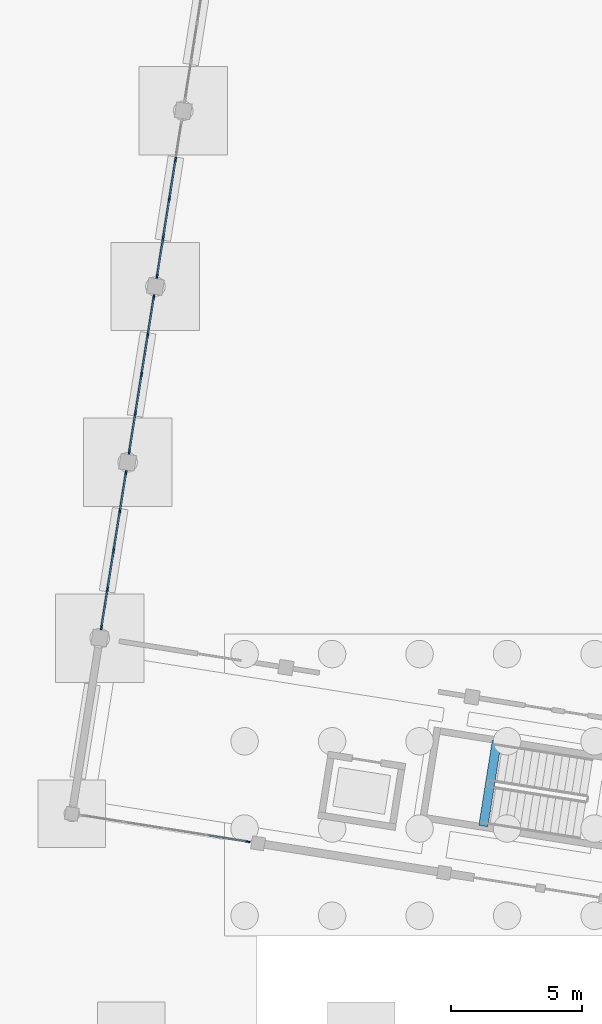
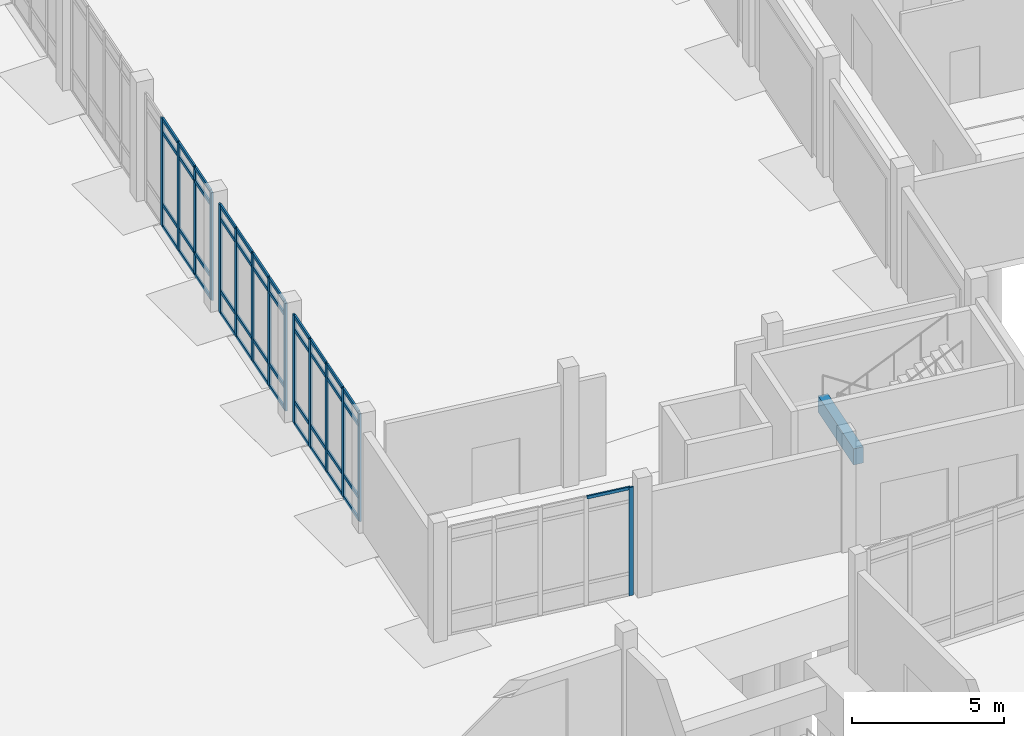
# One storey, part 15 of 72: 60 members, 1 beam, 4 elements without a shape of their own.
"""IFC4 building model written with IfcOpenShell, lengths in metres."""

from ifc_helpers import new_model, si_unit, direction, frame, origin, origin_2d, place, context, subcontext, project, spatial, rectangle, extrude, material, material_profile, profile_set, type_object, element, aggregate, save


model = new_model("IFC4")

# Units and contexts
model_context = context("Model", 3, precision=1e-05, world=origin(), true_north=direction((0.0, 1.0)))
body_context = subcontext(model_context, "Body", "Model", "MODEL_VIEW")
ifc_project = project(units=[si_unit("LENGTHUNIT", "METRE"), si_unit("AREAUNIT", "SQUARE_METRE"), si_unit("VOLUMEUNIT", "CUBIC_METRE"), si_unit("PLANEANGLEUNIT", "RADIAN"), si_unit("MASSUNIT", "GRAM", prefix="KILO")], contexts=[model_context])

# Site, building, storey
site_placement = place(None, origin())
site = spatial("IfcSite", under=ifc_project, at=site_placement, CompositionType="ELEMENT")
building_placement = place(site_placement, origin())
building = spatial("IfcBuilding", under=site, at=building_placement, Name="Cinderway Yard Community Centre", CompositionType="ELEMENT")
storey_placement = place(building_placement, origin())
storey = spatial("IfcBuildingStorey", under=building, at=storey_placement, Name="L00", CompositionType="ELEMENT", Elevation=0.0)

# Curtain wall, member
ifc_material_1 = material(Name="Aluminium 6063-T6", Category="aluminium")
curtain_wall_type_1 = type_object("IfcCurtainWallType", Name="ENV-CW-TYPE-13", PredefinedType="USERDEFINED", material=ifc_material_1)
curtain_wall_1_placement = place(storey_placement, origin())
curtain_wall_1 = element("IfcCurtainWall", 1, at=curtain_wall_1_placement, inside=storey, type_object=curtain_wall_type_1, Name="Sports South Lobby Curtain Wall ENV-CW-L00-ST-0050", ObjectType="GLAZED CURTAIN WALL", PredefinedType="USERDEFINED")
ifc_material_profile_1 = material_profile(ifc_material_1, rectangle(XDim=0.06005859375, YDim=0.159912109375, at=origin_2d()), Name="Aluminium 6063-T6")
ifc_profile_set_1 = profile_set([ifc_material_profile_1], Name="Aluminium 6063-T6")
member_type_1 = type_object("IfcMemberType", Name="ENV-CW-MULL-150", PredefinedType="MULLION", material=ifc_profile_set_1)
member_1_placement = place(storey_placement, frame((123.662353515625, 30.2177734375, 0.0), z_axis=(0.0, 0.0, 1.0), x_axis=(0.156636128875, 0.987656379077, 0.0)))
member_1 = element("IfcMember", 2, at=member_1_placement, type_object=member_type_1, Name="CW-13 mullion 5", PredefinedType="MULLION", context=body_context, shape_type="SweptSolid", body=[
    extrude(rectangle(XDim=0.06005859375, YDim=0.159912109375, at=origin_2d()), origin(), (0.0, 0.0, 1.0), 4.35009765625),
])

# Curtain wall, members
curtain_wall_type_2 = type_object("IfcCurtainWallType", Name="ENV-CW-TYPE-12", PredefinedType="USERDEFINED", material=ifc_material_1)
curtain_wall_2_placement = place(storey_placement, origin())
curtain_wall_2 = element("IfcCurtainWall", 3, at=curtain_wall_2_placement, inside=storey, type_object=curtain_wall_type_2, Name="Sports Hall Courtyard Curtain Wall ENV-CW-L00-HS-0044", ObjectType="GLAZED CURTAIN WALL", PredefinedType="USERDEFINED")
ifc_material_profile_2 = material_profile(ifc_material_1, rectangle(XDim=0.06494140625, YDim=0.179931640625, at=origin_2d()), Name="Aluminium 6063-T6")
ifc_profile_set_2 = profile_set([ifc_material_profile_2], Name="Aluminium 6063-T6")
member_type_2 = type_object("IfcMemberType", Name="ENV-CW-MULL-180", PredefinedType="MULLION", material=ifc_profile_set_2)
member_2_placement = place(storey_placement, frame((118.063720703125, 38.404541015625, 0.0), z_axis=(0.0, 0.0, 1.0), x_axis=(-0.987660740525, 0.156608625643, 0.0)))
member_2 = element("IfcMember", 4, at=member_2_placement, type_object=member_type_2, Name="CW-12 mullion 1", PredefinedType="MULLION", context=body_context, shape_type="SweptSolid", body=[
    extrude(rectangle(XDim=0.06494140625, YDim=0.179931640625, at=origin_2d()), origin(), (0.0, 0.0, 1.0), 4.35009765625),
])
member_3_placement = place(storey_placement, frame((118.29541015625, 39.866455078125, 0.0), z_axis=(0.0, 0.0, 1.0), x_axis=(-0.987660740525, 0.156608625643, 0.0)))
member_3 = element("IfcMember", 5, at=member_3_placement, type_object=member_type_2, Name="CW-12 mullion 2", PredefinedType="MULLION", context=body_context, shape_type="SweptSolid", body=[
    extrude(rectangle(XDim=0.06494140625, YDim=0.179931640625, at=origin_2d()), origin(), (0.0, 0.0, 1.0), 4.35009765625),
])
member_4_placement = place(storey_placement, frame((118.531982421875, 41.35791015625, 0.0), z_axis=(0.0, 0.0, 1.0), x_axis=(-0.987660740525, 0.156608625643, 0.0)))
member_4 = element("IfcMember", 6, at=member_4_placement, type_object=member_type_2, Name="CW-12 mullion 3", PredefinedType="MULLION", context=body_context, shape_type="SweptSolid", body=[
    extrude(rectangle(XDim=0.06494140625, YDim=0.179931640625, at=origin_2d()), origin(), (0.0, 0.0, 1.0), 4.35009765625),
])
member_5_placement = place(storey_placement, frame((118.7685546875, 42.849609375, 0.0), z_axis=(0.0, 0.0, 1.0), x_axis=(-0.987660740525, 0.156608625643, 0.0)))
member_5 = element("IfcMember", 7, at=member_5_placement, type_object=member_type_2, Name="CW-12 mullion 4", PredefinedType="MULLION", context=body_context, shape_type="SweptSolid", body=[
    extrude(rectangle(XDim=0.06494140625, YDim=0.179931640625, at=origin_2d()), origin(), (0.0, 0.0, 1.0), 4.35009765625),
])
member_6_placement = place(storey_placement, frame((119.000244140625, 44.311279296875, 0.0), z_axis=(0.0, 0.0, 1.0), x_axis=(-0.987660740525, 0.156608625643, 0.0)))
member_6 = element("IfcMember", 8, at=member_6_placement, type_object=member_type_2, Name="CW-12 mullion 5", PredefinedType="MULLION", context=body_context, shape_type="SweptSolid", body=[
    extrude(rectangle(XDim=0.06494140625, YDim=0.179931640625, at=origin_2d()), origin(), (0.0, 0.0, 1.0), 4.35009765625),
])

curtain_wall_3_placement = place(storey_placement, origin())
curtain_wall_3 = element("IfcCurtainWall", 9, at=curtain_wall_3_placement, inside=storey, type_object=curtain_wall_type_2, Name="Sports Hall Courtyard Curtain Wall ENV-CW-L00-HS-0045", ObjectType="GLAZED CURTAIN WALL", PredefinedType="USERDEFINED")
member_7_placement = place(storey_placement, frame((119.127685546875, 45.12060546875, 0.0), z_axis=(0.0, 0.0, 1.0), x_axis=(-0.987664799809, 0.156583023401, 0.0)))
member_7 = element("IfcMember", 10, at=member_7_placement, type_object=member_type_2, Name="CW-12 mullion 1", PredefinedType="MULLION", context=body_context, shape_type="SweptSolid", body=[
    extrude(rectangle(XDim=0.06494140625, YDim=0.179931640625, at=origin_2d()), origin(), (0.0, 0.0, 1.0), 4.35009765625),
])
member_8_placement = place(storey_placement, frame((119.359619140625, 46.582763671875, 0.0), z_axis=(0.0, 0.0, 1.0), x_axis=(-0.987664799809, 0.156583023401, 0.0)))
member_8 = element("IfcMember", 11, at=member_8_placement, type_object=member_type_2, Name="CW-12 mullion 2", PredefinedType="MULLION", context=body_context, shape_type="SweptSolid", body=[
    extrude(rectangle(XDim=0.06494140625, YDim=0.179931640625, at=origin_2d()), origin(), (0.0, 0.0, 1.0), 4.35009765625),
])
member_9_placement = place(storey_placement, frame((119.595947265625, 48.074462890625, 0.0), z_axis=(0.0, 0.0, 1.0), x_axis=(-0.987664799809, 0.156583023401, 0.0)))
member_9 = element("IfcMember", 12, at=member_9_placement, type_object=member_type_2, Name="CW-12 mullion 3", PredefinedType="MULLION", context=body_context, shape_type="SweptSolid", body=[
    extrude(rectangle(XDim=0.06494140625, YDim=0.179931640625, at=origin_2d()), origin(), (0.0, 0.0, 1.0), 4.35009765625),
])
member_10_placement = place(storey_placement, frame((119.83251953125, 49.566162109375, 0.0), z_axis=(0.0, 0.0, 1.0), x_axis=(-0.987664799809, 0.156583023401, 0.0)))
member_10 = element("IfcMember", 13, at=member_10_placement, type_object=member_type_2, Name="CW-12 mullion 4", PredefinedType="MULLION", context=body_context, shape_type="SweptSolid", body=[
    extrude(rectangle(XDim=0.06494140625, YDim=0.179931640625, at=origin_2d()), origin(), (0.0, 0.0, 1.0), 4.35009765625),
])
member_11_placement = place(storey_placement, frame((120.064208984375, 51.0283203125, 0.0), z_axis=(0.0, 0.0, 1.0), x_axis=(-0.987664799809, 0.156583023401, 0.0)))
member_11 = element("IfcMember", 14, at=member_11_placement, type_object=member_type_2, Name="CW-12 mullion 5", PredefinedType="MULLION", context=body_context, shape_type="SweptSolid", body=[
    extrude(rectangle(XDim=0.06494140625, YDim=0.179931640625, at=origin_2d()), origin(), (0.0, 0.0, 1.0), 4.35009765625),
])

curtain_wall_4_placement = place(storey_placement, origin())
curtain_wall_4 = element("IfcCurtainWall", 15, at=curtain_wall_4_placement, inside=storey, type_object=curtain_wall_type_2, Name="Sports Hall Courtyard Curtain Wall ENV-CW-L00-HS-0046", ObjectType="GLAZED CURTAIN WALL", PredefinedType="USERDEFINED")
member_12_placement = place(storey_placement, frame((120.191650390625, 51.837646484375, 0.0), z_axis=(0.0, 0.0, 1.0), x_axis=(-0.987686334358, 0.1564471314, 0.0)))
member_12 = element("IfcMember", 16, at=member_12_placement, type_object=member_type_2, Name="CW-12 mullion 1", PredefinedType="MULLION", context=body_context, shape_type="SweptSolid", body=[
    extrude(rectangle(XDim=0.06494140625, YDim=0.179931640625, at=origin_2d()), origin(), (0.0, 0.0, 1.0), 4.35009765625),
])
member_13_placement = place(storey_placement, frame((120.42333984375, 53.299560546875, 0.0), z_axis=(0.0, 0.0, 1.0), x_axis=(-0.987686334358, 0.1564471314, 0.0)))
member_13 = element("IfcMember", 17, at=member_13_placement, type_object=member_type_2, Name="CW-12 mullion 2", PredefinedType="MULLION", context=body_context, shape_type="SweptSolid", body=[
    extrude(rectangle(XDim=0.06494140625, YDim=0.179931640625, at=origin_2d()), origin(), (0.0, 0.0, 1.0), 4.35009765625),
])
member_14_placement = place(storey_placement, frame((120.659423828125, 54.791015625, 0.0), z_axis=(0.0, 0.0, 1.0), x_axis=(-0.987686334358, 0.1564471314, 0.0)))
member_14 = element("IfcMember", 18, at=member_14_placement, type_object=member_type_2, Name="CW-12 mullion 3", PredefinedType="MULLION", context=body_context, shape_type="SweptSolid", body=[
    extrude(rectangle(XDim=0.06494140625, YDim=0.179931640625, at=origin_2d()), origin(), (0.0, 0.0, 1.0), 4.35009765625),
])
member_15_placement = place(storey_placement, frame((120.895751953125, 56.282470703125, 0.0), z_axis=(0.0, 0.0, 1.0), x_axis=(-0.987686334358, 0.1564471314, 0.0)))
member_15 = element("IfcMember", 19, at=member_15_placement, type_object=member_type_2, Name="CW-12 mullion 4", PredefinedType="MULLION", context=body_context, shape_type="SweptSolid", body=[
    extrude(rectangle(XDim=0.06494140625, YDim=0.179931640625, at=origin_2d()), origin(), (0.0, 0.0, 1.0), 4.35009765625),
])

# Member
ifc_material_profile_3 = material_profile(ifc_material_1, rectangle(XDim=0.06005859375, YDim=0.1201171875, at=origin_2d()), Name="Aluminium 6063-T6")
ifc_profile_set_3 = profile_set([ifc_material_profile_3], Name="Aluminium 6063-T6")
member_type_3 = type_object("IfcMemberType", Name="ENV-CW-TRAN-110", PredefinedType="USERDEFINED", material=ifc_profile_set_3)
member_16_placement = place(storey_placement, frame((122.12158203125, 30.462158203125, 4.320068359375), z_axis=(0.987648857134, -0.156683550518, 0.0), x_axis=(0.156683550518, 0.987648857134, 0.0)))
member_16 = element("IfcMember", 20, at=member_16_placement, type_object=member_type_3, Name="CW-13 transom 4.4", ObjectType="TRANSOM", PredefinedType="USERDEFINED", context=body_context, shape_type="SweptSolid", body=[
    extrude(rectangle(XDim=0.06005859375, YDim=0.1201171875, at=origin_2d()), origin(), (0.0, 0.0, 1.0), 1.530029296875),
])

aggregate(curtain_wall_1, [member_1, member_16])

ifc_material_profile_4 = material_profile(ifc_material_1, rectangle(XDim=0.06494140625, YDim=0.139892578125, at=origin_2d()), Name="Aluminium 6063-T6")
ifc_profile_set_4 = profile_set([ifc_material_profile_4], Name="Aluminium 6063-T6")
member_type_4 = type_object("IfcMemberType", Name="ENV-CW-TRAN-140", PredefinedType="USERDEFINED", material=ifc_profile_set_4)
member_17_placement = place(storey_placement, frame((118.068359375, 38.434326171875, 0.030029296875), z_axis=(0.156615821604, 0.987659599469, 0.0), x_axis=(-0.987659599469, 0.156615821604, 0.0)))
member_17 = element("IfcMember", 21, at=member_17_placement, type_object=member_type_4, Name="CW-12 transom 1.1", ObjectType="TRANSOM", PredefinedType="USERDEFINED", context=body_context, shape_type="SweptSolid", body=[
    extrude(rectangle(XDim=0.06494140625, YDim=0.139892578125, at=origin_2d()), origin(), (0.0, 0.0, 1.0), 1.420166015625),
])

member_18_placement = place(storey_placement, frame((118.068359375, 38.434326171875, 0.89990234375), z_axis=(0.156615821604, 0.987659599469, 0.0), x_axis=(-0.987659599469, 0.156615821604, 0.0)))
member_18 = element("IfcMember", 22, at=member_18_placement, type_object=member_type_4, Name="CW-12 transom 1.2", ObjectType="TRANSOM", PredefinedType="USERDEFINED", context=body_context, shape_type="SweptSolid", body=[
    extrude(rectangle(XDim=0.06494140625, YDim=0.139892578125, at=origin_2d()), origin(), (0.0, 0.0, 1.0), 1.420166015625),
])

member_19_placement = place(storey_placement, frame((118.068359375, 38.434326171875, 3.800048828125), z_axis=(0.156615821604, 0.987659599469, 0.0), x_axis=(-0.987659599469, 0.156615821604, 0.0)))
member_19 = element("IfcMember", 23, at=member_19_placement, type_object=member_type_4, Name="CW-12 transom 1.3", ObjectType="TRANSOM", PredefinedType="USERDEFINED", context=body_context, shape_type="SweptSolid", body=[
    extrude(rectangle(XDim=0.06494140625, YDim=0.139892578125, at=origin_2d()), origin(), (0.0, 0.0, 1.0), 1.420166015625),
])

member_20_placement = place(storey_placement, frame((118.068359375, 38.434326171875, 4.320068359375), z_axis=(0.156615821604, 0.987659599469, 0.0), x_axis=(-0.987659599469, 0.156615821604, 0.0)))
member_20 = element("IfcMember", 24, at=member_20_placement, type_object=member_type_4, Name="CW-12 transom 1.4", ObjectType="TRANSOM", PredefinedType="USERDEFINED", context=body_context, shape_type="SweptSolid", body=[
    extrude(rectangle(XDim=0.06494140625, YDim=0.139892578125, at=origin_2d()), origin(), (0.0, 0.0, 1.0), 1.420166015625),
])

member_21_placement = place(storey_placement, frame((118.30029296875, 39.896240234375, 0.030029296875), z_axis=(0.156585060263, 0.987664476886, 0.0), x_axis=(-0.987664476886, 0.156585060263, 0.0)))
member_21 = element("IfcMember", 25, at=member_21_placement, type_object=member_type_4, Name="CW-12 transom 2.1", ObjectType="TRANSOM", PredefinedType="USERDEFINED", context=body_context, shape_type="SweptSolid", body=[
    extrude(rectangle(XDim=0.06494140625, YDim=0.139892578125, at=origin_2d()), origin(), (0.0, 0.0, 1.0), 1.449951171875),
])

member_22_placement = place(storey_placement, frame((118.30029296875, 39.896240234375, 0.89990234375), z_axis=(0.156585060263, 0.987664476886, 0.0), x_axis=(-0.987664476886, 0.156585060263, 0.0)))
member_22 = element("IfcMember", 26, at=member_22_placement, type_object=member_type_4, Name="CW-12 transom 2.2", ObjectType="TRANSOM", PredefinedType="USERDEFINED", context=body_context, shape_type="SweptSolid", body=[
    extrude(rectangle(XDim=0.06494140625, YDim=0.139892578125, at=origin_2d()), origin(), (0.0, 0.0, 1.0), 1.449951171875),
])

member_23_placement = place(storey_placement, frame((118.30029296875, 39.896240234375, 3.800048828125), z_axis=(0.156585060263, 0.987664476886, 0.0), x_axis=(-0.987664476886, 0.156585060263, 0.0)))
member_23 = element("IfcMember", 27, at=member_23_placement, type_object=member_type_4, Name="CW-12 transom 2.3", ObjectType="TRANSOM", PredefinedType="USERDEFINED", context=body_context, shape_type="SweptSolid", body=[
    extrude(rectangle(XDim=0.06494140625, YDim=0.139892578125, at=origin_2d()), origin(), (0.0, 0.0, 1.0), 1.449951171875),
])

member_24_placement = place(storey_placement, frame((118.30029296875, 39.896240234375, 4.320068359375), z_axis=(0.156585060263, 0.987664476886, 0.0), x_axis=(-0.987664476886, 0.156585060263, 0.0)))
member_24 = element("IfcMember", 28, at=member_24_placement, type_object=member_type_4, Name="CW-12 transom 2.4", ObjectType="TRANSOM", PredefinedType="USERDEFINED", context=body_context, shape_type="SweptSolid", body=[
    extrude(rectangle(XDim=0.06494140625, YDim=0.139892578125, at=origin_2d()), origin(), (0.0, 0.0, 1.0), 1.449951171875),
])

member_25_placement = place(storey_placement, frame((118.53662109375, 41.3876953125, 0.030029296875), z_axis=(0.156749296529, 0.987638424747, 0.0), x_axis=(-0.987638424747, 0.156749296529, 0.0)))
member_25 = element("IfcMember", 29, at=member_25_placement, type_object=member_type_4, Name="CW-12 transom 3.1", ObjectType="TRANSOM", PredefinedType="USERDEFINED", context=body_context, shape_type="SweptSolid", body=[
    extrude(rectangle(XDim=0.06494140625, YDim=0.139892578125, at=origin_2d()), origin(), (0.0, 0.0, 1.0), 1.449951171875),
])

member_26_placement = place(storey_placement, frame((118.53662109375, 41.3876953125, 0.89990234375), z_axis=(0.156749296529, 0.987638424747, 0.0), x_axis=(-0.987638424747, 0.156749296529, 0.0)))
member_26 = element("IfcMember", 30, at=member_26_placement, type_object=member_type_4, Name="CW-12 transom 3.2", ObjectType="TRANSOM", PredefinedType="USERDEFINED", context=body_context, shape_type="SweptSolid", body=[
    extrude(rectangle(XDim=0.06494140625, YDim=0.139892578125, at=origin_2d()), origin(), (0.0, 0.0, 1.0), 1.449951171875),
])

member_27_placement = place(storey_placement, frame((118.53662109375, 41.3876953125, 3.800048828125), z_axis=(0.156749296529, 0.987638424747, 0.0), x_axis=(-0.987638424747, 0.156749296529, 0.0)))
member_27 = element("IfcMember", 31, at=member_27_placement, type_object=member_type_4, Name="CW-12 transom 3.3", ObjectType="TRANSOM", PredefinedType="USERDEFINED", context=body_context, shape_type="SweptSolid", body=[
    extrude(rectangle(XDim=0.06494140625, YDim=0.139892578125, at=origin_2d()), origin(), (0.0, 0.0, 1.0), 1.449951171875),
])

member_28_placement = place(storey_placement, frame((118.53662109375, 41.3876953125, 4.320068359375), z_axis=(0.156749296529, 0.987638424747, 0.0), x_axis=(-0.987638424747, 0.156749296529, 0.0)))
member_28 = element("IfcMember", 32, at=member_28_placement, type_object=member_type_4, Name="CW-12 transom 3.4", ObjectType="TRANSOM", PredefinedType="USERDEFINED", context=body_context, shape_type="SweptSolid", body=[
    extrude(rectangle(XDim=0.06494140625, YDim=0.139892578125, at=origin_2d()), origin(), (0.0, 0.0, 1.0), 1.449951171875),
])

member_29_placement = place(storey_placement, frame((118.773193359375, 42.879150390625, 0.030029296875), z_axis=(0.156615821604, 0.987659599469, 0.0), x_axis=(-0.987659599469, 0.156615821604, 0.0)))
member_29 = element("IfcMember", 33, at=member_29_placement, type_object=member_type_4, Name="CW-12 transom 4.1", ObjectType="TRANSOM", PredefinedType="USERDEFINED", context=body_context, shape_type="SweptSolid", body=[
    extrude(rectangle(XDim=0.06494140625, YDim=0.139892578125, at=origin_2d()), origin(), (0.0, 0.0, 1.0), 1.420166015625),
])

member_30_placement = place(storey_placement, frame((118.773193359375, 42.879150390625, 0.89990234375), z_axis=(0.156615821604, 0.987659599469, 0.0), x_axis=(-0.987659599469, 0.156615821604, 0.0)))
member_30 = element("IfcMember", 34, at=member_30_placement, type_object=member_type_4, Name="CW-12 transom 4.2", ObjectType="TRANSOM", PredefinedType="USERDEFINED", context=body_context, shape_type="SweptSolid", body=[
    extrude(rectangle(XDim=0.06494140625, YDim=0.139892578125, at=origin_2d()), origin(), (0.0, 0.0, 1.0), 1.420166015625),
])

member_31_placement = place(storey_placement, frame((118.773193359375, 42.879150390625, 3.800048828125), z_axis=(0.156615821604, 0.987659599469, 0.0), x_axis=(-0.987659599469, 0.156615821604, 0.0)))
member_31 = element("IfcMember", 35, at=member_31_placement, type_object=member_type_4, Name="CW-12 transom 4.3", ObjectType="TRANSOM", PredefinedType="USERDEFINED", context=body_context, shape_type="SweptSolid", body=[
    extrude(rectangle(XDim=0.06494140625, YDim=0.139892578125, at=origin_2d()), origin(), (0.0, 0.0, 1.0), 1.420166015625),
])

member_32_placement = place(storey_placement, frame((118.773193359375, 42.879150390625, 4.320068359375), z_axis=(0.156615821604, 0.987659599469, 0.0), x_axis=(-0.987659599469, 0.156615821604, 0.0)))
member_32 = element("IfcMember", 36, at=member_32_placement, type_object=member_type_4, Name="CW-12 transom 4.4", ObjectType="TRANSOM", PredefinedType="USERDEFINED", context=body_context, shape_type="SweptSolid", body=[
    extrude(rectangle(XDim=0.06494140625, YDim=0.139892578125, at=origin_2d()), origin(), (0.0, 0.0, 1.0), 1.420166015625),
])

aggregate(curtain_wall_2, [member_2, member_3, member_4, member_5, member_6, member_17, member_18, member_19, member_20, member_21, member_22, member_23, member_24, member_25, member_26, member_27, member_28, member_29, member_30, member_31, member_32])

member_33_placement = place(storey_placement, frame((119.13232421875, 45.150146484375, 0.030029296875), z_axis=(0.156562654309, 0.987668028882, 0.0), x_axis=(-0.987668028882, 0.156562654309, 0.0)))
member_33 = element("IfcMember", 37, at=member_33_placement, type_object=member_type_4, Name="CW-12 transom 1.1", ObjectType="TRANSOM", PredefinedType="USERDEFINED", context=body_context, shape_type="SweptSolid", body=[
    extrude(rectangle(XDim=0.06494140625, YDim=0.139892578125, at=origin_2d()), origin(), (0.0, 0.0, 1.0), 1.420654296875),
])

member_34_placement = place(storey_placement, frame((119.13232421875, 45.150146484375, 0.89990234375), z_axis=(0.156562654309, 0.987668028882, 0.0), x_axis=(-0.987668028882, 0.156562654309, 0.0)))
member_34 = element("IfcMember", 38, at=member_34_placement, type_object=member_type_4, Name="CW-12 transom 1.2", ObjectType="TRANSOM", PredefinedType="USERDEFINED", context=body_context, shape_type="SweptSolid", body=[
    extrude(rectangle(XDim=0.06494140625, YDim=0.139892578125, at=origin_2d()), origin(), (0.0, 0.0, 1.0), 1.420654296875),
])

member_35_placement = place(storey_placement, frame((119.13232421875, 45.150146484375, 3.800048828125), z_axis=(0.156562654309, 0.987668028882, 0.0), x_axis=(-0.987668028882, 0.156562654309, 0.0)))
member_35 = element("IfcMember", 39, at=member_35_placement, type_object=member_type_4, Name="CW-12 transom 1.3", ObjectType="TRANSOM", PredefinedType="USERDEFINED", context=body_context, shape_type="SweptSolid", body=[
    extrude(rectangle(XDim=0.06494140625, YDim=0.139892578125, at=origin_2d()), origin(), (0.0, 0.0, 1.0), 1.420654296875),
])

member_36_placement = place(storey_placement, frame((119.13232421875, 45.150146484375, 4.320068359375), z_axis=(0.156562654309, 0.987668028882, 0.0), x_axis=(-0.987668028882, 0.156562654309, 0.0)))
member_36 = element("IfcMember", 40, at=member_36_placement, type_object=member_type_4, Name="CW-12 transom 1.4", ObjectType="TRANSOM", PredefinedType="USERDEFINED", context=body_context, shape_type="SweptSolid", body=[
    extrude(rectangle(XDim=0.06494140625, YDim=0.139892578125, at=origin_2d()), origin(), (0.0, 0.0, 1.0), 1.420654296875),
])

member_37_placement = place(storey_placement, frame((119.3642578125, 46.6123046875, 0.030029296875), z_axis=(0.156532999021, 0.987672729307, 0.0), x_axis=(-0.987672729307, 0.156532999021, 0.0)))
member_37 = element("IfcMember", 41, at=member_37_placement, type_object=member_type_4, Name="CW-12 transom 2.1", ObjectType="TRANSOM", PredefinedType="USERDEFINED", context=body_context, shape_type="SweptSolid", body=[
    extrude(rectangle(XDim=0.06494140625, YDim=0.139892578125, at=origin_2d()), origin(), (0.0, 0.0, 1.0), 1.450439453125),
])

member_38_placement = place(storey_placement, frame((119.3642578125, 46.6123046875, 0.89990234375), z_axis=(0.156532999021, 0.987672729307, 0.0), x_axis=(-0.987672729307, 0.156532999021, 0.0)))
member_38 = element("IfcMember", 42, at=member_38_placement, type_object=member_type_4, Name="CW-12 transom 2.2", ObjectType="TRANSOM", PredefinedType="USERDEFINED", context=body_context, shape_type="SweptSolid", body=[
    extrude(rectangle(XDim=0.06494140625, YDim=0.139892578125, at=origin_2d()), origin(), (0.0, 0.0, 1.0), 1.450439453125),
])

member_39_placement = place(storey_placement, frame((119.3642578125, 46.6123046875, 3.800048828125), z_axis=(0.156532999021, 0.987672729307, 0.0), x_axis=(-0.987672729307, 0.156532999021, 0.0)))
member_39 = element("IfcMember", 43, at=member_39_placement, type_object=member_type_4, Name="CW-12 transom 2.3", ObjectType="TRANSOM", PredefinedType="USERDEFINED", context=body_context, shape_type="SweptSolid", body=[
    extrude(rectangle(XDim=0.06494140625, YDim=0.139892578125, at=origin_2d()), origin(), (0.0, 0.0, 1.0), 1.450439453125),
])

member_40_placement = place(storey_placement, frame((119.3642578125, 46.6123046875, 4.320068359375), z_axis=(0.156532999021, 0.987672729307, 0.0), x_axis=(-0.987672729307, 0.156532999021, 0.0)))
member_40 = element("IfcMember", 44, at=member_40_placement, type_object=member_type_4, Name="CW-12 transom 2.4", ObjectType="TRANSOM", PredefinedType="USERDEFINED", context=body_context, shape_type="SweptSolid", body=[
    extrude(rectangle(XDim=0.06494140625, YDim=0.139892578125, at=origin_2d()), origin(), (0.0, 0.0, 1.0), 1.450439453125),
])

member_41_placement = place(storey_placement, frame((119.6005859375, 48.104248046875, 0.030029296875), z_axis=(0.156723235702, 0.987642560541, 0.0), x_axis=(-0.987642560541, 0.156723235702, 0.0)))
member_41 = element("IfcMember", 45, at=member_41_placement, type_object=member_type_4, Name="CW-12 transom 3.1", ObjectType="TRANSOM", PredefinedType="USERDEFINED", context=body_context, shape_type="SweptSolid", body=[
    extrude(rectangle(XDim=0.06494140625, YDim=0.139892578125, at=origin_2d()), origin(), (0.0, 0.0, 1.0), 1.4501953125),
])

member_42_placement = place(storey_placement, frame((119.6005859375, 48.104248046875, 0.89990234375), z_axis=(0.156723235702, 0.987642560541, 0.0), x_axis=(-0.987642560541, 0.156723235702, 0.0)))
member_42 = element("IfcMember", 46, at=member_42_placement, type_object=member_type_4, Name="CW-12 transom 3.2", ObjectType="TRANSOM", PredefinedType="USERDEFINED", context=body_context, shape_type="SweptSolid", body=[
    extrude(rectangle(XDim=0.06494140625, YDim=0.139892578125, at=origin_2d()), origin(), (0.0, 0.0, 1.0), 1.4501953125),
])

member_43_placement = place(storey_placement, frame((119.6005859375, 48.104248046875, 3.800048828125), z_axis=(0.156723235702, 0.987642560541, 0.0), x_axis=(-0.987642560541, 0.156723235702, 0.0)))
member_43 = element("IfcMember", 47, at=member_43_placement, type_object=member_type_4, Name="CW-12 transom 3.3", ObjectType="TRANSOM", PredefinedType="USERDEFINED", context=body_context, shape_type="SweptSolid", body=[
    extrude(rectangle(XDim=0.06494140625, YDim=0.139892578125, at=origin_2d()), origin(), (0.0, 0.0, 1.0), 1.4501953125),
])

member_44_placement = place(storey_placement, frame((119.6005859375, 48.104248046875, 4.320068359375), z_axis=(0.156723235702, 0.987642560541, 0.0), x_axis=(-0.987642560541, 0.156723235702, 0.0)))
member_44 = element("IfcMember", 48, at=member_44_placement, type_object=member_type_4, Name="CW-12 transom 3.4", ObjectType="TRANSOM", PredefinedType="USERDEFINED", context=body_context, shape_type="SweptSolid", body=[
    extrude(rectangle(XDim=0.06494140625, YDim=0.139892578125, at=origin_2d()), origin(), (0.0, 0.0, 1.0), 1.4501953125),
])

member_45_placement = place(storey_placement, frame((119.837158203125, 49.595947265625, 0.030029296875), z_axis=(0.1565892335, 0.987663815249, 0.0), x_axis=(-0.987663815249, 0.1565892335, 0.0)))
member_45 = element("IfcMember", 49, at=member_45_placement, type_object=member_type_4, Name="CW-12 transom 4.1", ObjectType="TRANSOM", PredefinedType="USERDEFINED", context=body_context, shape_type="SweptSolid", body=[
    extrude(rectangle(XDim=0.06494140625, YDim=0.139892578125, at=origin_2d()), origin(), (0.0, 0.0, 1.0), 1.42041015625),
])

member_46_placement = place(storey_placement, frame((119.837158203125, 49.595947265625, 0.89990234375), z_axis=(0.1565892335, 0.987663815249, 0.0), x_axis=(-0.987663815249, 0.1565892335, 0.0)))
member_46 = element("IfcMember", 50, at=member_46_placement, type_object=member_type_4, Name="CW-12 transom 4.2", ObjectType="TRANSOM", PredefinedType="USERDEFINED", context=body_context, shape_type="SweptSolid", body=[
    extrude(rectangle(XDim=0.06494140625, YDim=0.139892578125, at=origin_2d()), origin(), (0.0, 0.0, 1.0), 1.42041015625),
])

member_47_placement = place(storey_placement, frame((119.837158203125, 49.595947265625, 3.800048828125), z_axis=(0.1565892335, 0.987663815249, 0.0), x_axis=(-0.987663815249, 0.1565892335, 0.0)))
member_47 = element("IfcMember", 51, at=member_47_placement, type_object=member_type_4, Name="CW-12 transom 4.3", ObjectType="TRANSOM", PredefinedType="USERDEFINED", context=body_context, shape_type="SweptSolid", body=[
    extrude(rectangle(XDim=0.06494140625, YDim=0.139892578125, at=origin_2d()), origin(), (0.0, 0.0, 1.0), 1.42041015625),
])

member_48_placement = place(storey_placement, frame((119.837158203125, 49.595947265625, 4.320068359375), z_axis=(0.1565892335, 0.987663815249, 0.0), x_axis=(-0.987663815249, 0.1565892335, 0.0)))
member_48 = element("IfcMember", 52, at=member_48_placement, type_object=member_type_4, Name="CW-12 transom 4.4", ObjectType="TRANSOM", PredefinedType="USERDEFINED", context=body_context, shape_type="SweptSolid", body=[
    extrude(rectangle(XDim=0.06494140625, YDim=0.139892578125, at=origin_2d()), origin(), (0.0, 0.0, 1.0), 1.42041015625),
])

aggregate(curtain_wall_3, [member_7, member_8, member_9, member_10, member_11, member_33, member_34, member_35, member_36, member_37, member_38, member_39, member_40, member_41, member_42, member_43, member_44, member_45, member_46, member_47, member_48])

member_49_placement = place(storey_placement, frame((120.1962890625, 51.8671875, 0.030029296875), z_axis=(0.156448115308, 0.987686178508, 0.0), x_axis=(-0.987686178508, 0.156448115308, 0.0)))
member_49 = element("IfcMember", 53, at=member_49_placement, type_object=member_type_4, Name="CW-12 transom 1.1", ObjectType="TRANSOM", PredefinedType="USERDEFINED", context=body_context, shape_type="SweptSolid", body=[
    extrude(rectangle(XDim=0.06494140625, YDim=0.139892578125, at=origin_2d()), origin(), (0.0, 0.0, 1.0), 1.420166015625),
])

member_50_placement = place(storey_placement, frame((120.1962890625, 51.8671875, 0.89990234375), z_axis=(0.156448115308, 0.987686178508, 0.0), x_axis=(-0.987686178508, 0.156448115308, 0.0)))
member_50 = element("IfcMember", 54, at=member_50_placement, type_object=member_type_4, Name="CW-12 transom 1.2", ObjectType="TRANSOM", PredefinedType="USERDEFINED", context=body_context, shape_type="SweptSolid", body=[
    extrude(rectangle(XDim=0.06494140625, YDim=0.139892578125, at=origin_2d()), origin(), (0.0, 0.0, 1.0), 1.420166015625),
])

member_51_placement = place(storey_placement, frame((120.1962890625, 51.8671875, 3.800048828125), z_axis=(0.156448115308, 0.987686178508, 0.0), x_axis=(-0.987686178508, 0.156448115308, 0.0)))
member_51 = element("IfcMember", 55, at=member_51_placement, type_object=member_type_4, Name="CW-12 transom 1.3", ObjectType="TRANSOM", PredefinedType="USERDEFINED", context=body_context, shape_type="SweptSolid", body=[
    extrude(rectangle(XDim=0.06494140625, YDim=0.139892578125, at=origin_2d()), origin(), (0.0, 0.0, 1.0), 1.420166015625),
])

member_52_placement = place(storey_placement, frame((120.1962890625, 51.8671875, 4.320068359375), z_axis=(0.156448115308, 0.987686178508, 0.0), x_axis=(-0.987686178508, 0.156448115308, 0.0)))
member_52 = element("IfcMember", 56, at=member_52_placement, type_object=member_type_4, Name="CW-12 transom 1.4", ObjectType="TRANSOM", PredefinedType="USERDEFINED", context=body_context, shape_type="SweptSolid", body=[
    extrude(rectangle(XDim=0.06494140625, YDim=0.139892578125, at=origin_2d()), origin(), (0.0, 0.0, 1.0), 1.420166015625),
])

member_53_placement = place(storey_placement, frame((120.427978515625, 53.3291015625, 0.030029296875), z_axis=(0.156394802051, 0.987694621779, 0.0), x_axis=(-0.987694621779, 0.156394802051, 0.0)))
member_53 = element("IfcMember", 57, at=member_53_placement, type_object=member_type_4, Name="CW-12 transom 2.1", ObjectType="TRANSOM", PredefinedType="USERDEFINED", context=body_context, shape_type="SweptSolid", body=[
    extrude(rectangle(XDim=0.06494140625, YDim=0.139892578125, at=origin_2d()), origin(), (0.0, 0.0, 1.0), 1.4501953125),
])

member_54_placement = place(storey_placement, frame((120.427978515625, 53.3291015625, 0.89990234375), z_axis=(0.156394802051, 0.987694621779, 0.0), x_axis=(-0.987694621779, 0.156394802051, 0.0)))
member_54 = element("IfcMember", 58, at=member_54_placement, type_object=member_type_4, Name="CW-12 transom 2.2", ObjectType="TRANSOM", PredefinedType="USERDEFINED", context=body_context, shape_type="SweptSolid", body=[
    extrude(rectangle(XDim=0.06494140625, YDim=0.139892578125, at=origin_2d()), origin(), (0.0, 0.0, 1.0), 1.4501953125),
])

member_55_placement = place(storey_placement, frame((120.427978515625, 53.3291015625, 3.800048828125), z_axis=(0.156394802051, 0.987694621779, 0.0), x_axis=(-0.987694621779, 0.156394802051, 0.0)))
member_55 = element("IfcMember", 59, at=member_55_placement, type_object=member_type_4, Name="CW-12 transom 2.3", ObjectType="TRANSOM", PredefinedType="USERDEFINED", context=body_context, shape_type="SweptSolid", body=[
    extrude(rectangle(XDim=0.06494140625, YDim=0.139892578125, at=origin_2d()), origin(), (0.0, 0.0, 1.0), 1.4501953125),
])

member_56_placement = place(storey_placement, frame((120.427978515625, 53.3291015625, 4.320068359375), z_axis=(0.156394802051, 0.987694621779, 0.0), x_axis=(-0.987694621779, 0.156394802051, 0.0)))
member_56 = element("IfcMember", 60, at=member_56_placement, type_object=member_type_4, Name="CW-12 transom 2.4", ObjectType="TRANSOM", PredefinedType="USERDEFINED", context=body_context, shape_type="SweptSolid", body=[
    extrude(rectangle(XDim=0.06494140625, YDim=0.139892578125, at=origin_2d()), origin(), (0.0, 0.0, 1.0), 1.4501953125),
])

member_57_placement = place(storey_placement, frame((120.664306640625, 54.820556640625, 0.030029296875), z_axis=(0.156394802051, 0.987694621779, 0.0), x_axis=(-0.987694621779, 0.156394802051, 0.0)))
member_57 = element("IfcMember", 61, at=member_57_placement, type_object=member_type_4, Name="CW-12 transom 3.1", ObjectType="TRANSOM", PredefinedType="USERDEFINED", context=body_context, shape_type="SweptSolid", body=[
    extrude(rectangle(XDim=0.06494140625, YDim=0.139892578125, at=origin_2d()), origin(), (0.0, 0.0, 1.0), 1.4501953125),
])

member_58_placement = place(storey_placement, frame((120.664306640625, 54.820556640625, 0.89990234375), z_axis=(0.156394802051, 0.987694621779, 0.0), x_axis=(-0.987694621779, 0.156394802051, 0.0)))
member_58 = element("IfcMember", 62, at=member_58_placement, type_object=member_type_4, Name="CW-12 transom 3.2", ObjectType="TRANSOM", PredefinedType="USERDEFINED", context=body_context, shape_type="SweptSolid", body=[
    extrude(rectangle(XDim=0.06494140625, YDim=0.139892578125, at=origin_2d()), origin(), (0.0, 0.0, 1.0), 1.4501953125),
])

member_59_placement = place(storey_placement, frame((120.664306640625, 54.820556640625, 3.800048828125), z_axis=(0.156394802051, 0.987694621779, 0.0), x_axis=(-0.987694621779, 0.156394802051, 0.0)))
member_59 = element("IfcMember", 63, at=member_59_placement, type_object=member_type_4, Name="CW-12 transom 3.3", ObjectType="TRANSOM", PredefinedType="USERDEFINED", context=body_context, shape_type="SweptSolid", body=[
    extrude(rectangle(XDim=0.06494140625, YDim=0.139892578125, at=origin_2d()), origin(), (0.0, 0.0, 1.0), 1.4501953125),
])

member_60_placement = place(storey_placement, frame((120.664306640625, 54.820556640625, 4.320068359375), z_axis=(0.156394802051, 0.987694621779, 0.0), x_axis=(-0.987694621779, 0.156394802051, 0.0)))
member_60 = element("IfcMember", 64, at=member_60_placement, type_object=member_type_4, Name="CW-12 transom 3.4", ObjectType="TRANSOM", PredefinedType="USERDEFINED", context=body_context, shape_type="SweptSolid", body=[
    extrude(rectangle(XDim=0.06494140625, YDim=0.139892578125, at=origin_2d()), origin(), (0.0, 0.0, 1.0), 1.4501953125),
])

aggregate(curtain_wall_4, [member_12, member_13, member_14, member_15, member_49, member_50, member_51, member_52, member_53, member_54, member_55, member_56, member_57, member_58, member_59, member_60])

# Beam
ifc_material_2 = material(Name="Concrete C35/45", Category="concrete")
ifc_material_profile_5 = material_profile(ifc_material_2, rectangle(XDim=0.35009765625, YDim=0.64990234375, at=origin_2d()), Name="Concrete C35/45")
ifc_profile_set_5 = profile_set([ifc_material_profile_5], Name="Concrete C35/45")
beam_type = type_object("IfcBeamType", Name="STR-BM-RC350X650", PredefinedType="BEAM", material=ifc_profile_set_5)
beam_placement = place(storey_placement, frame((133.1708984375, 34.05810546875, 2.074951171875), z_axis=(-0.156704150492, -0.987645588872, 0.0), x_axis=(0.987645588872, -0.156704150492, 0.0)))
element("IfcBeam", 65, at=beam_placement, inside=storey, type_object=beam_type, Name="Stair half-landing trimmer C4A L00", PredefinedType="BEAM", context=body_context, shape_type="SweptSolid", body=[
    extrude(rectangle(XDim=0.35009765625, YDim=0.64990234375, at=origin_2d()), origin(), (0.0, 0.0, 1.0), 3.279541015625),
])

save(model, "model.ifc")
